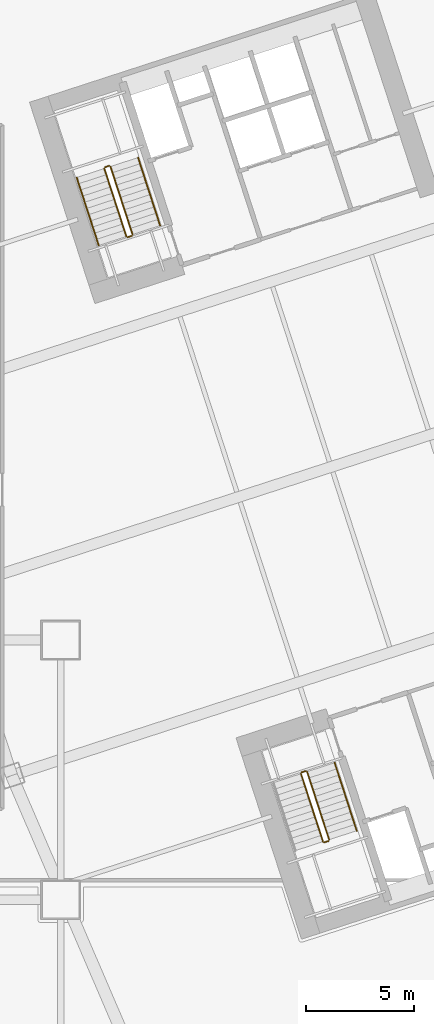
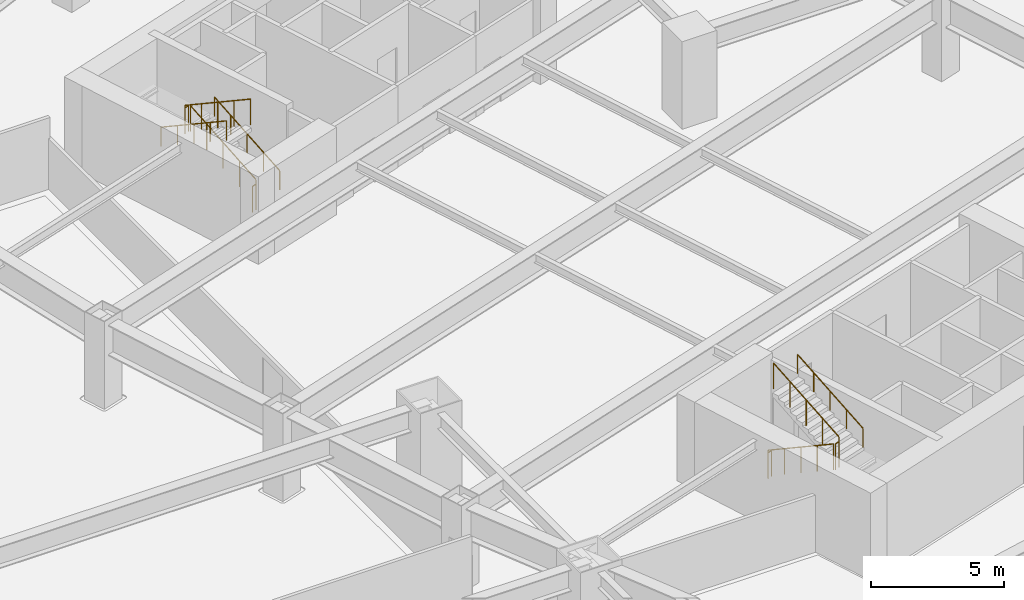
# One storey, part 24 of 25: 11 railings.
"""IFC4 building model written with IfcOpenShell, lengths in metres."""

from ifc_helpers import new_model, si_unit, direction, frame, origin, origin_2d, place, context, subcontext, project, spatial, circle, extrude, material, type_object, element, save


model = new_model("IFC4")

# Units and contexts
model_context = context("Model", 3, precision=1e-05, world=origin(), true_north=direction((0.0, 1.0)))
body_context = subcontext(model_context, "Body", "Model", "MODEL_VIEW")
ifc_project = project(units=[si_unit("LENGTHUNIT", "METRE"), si_unit("AREAUNIT", "SQUARE_METRE"), si_unit("VOLUMEUNIT", "CUBIC_METRE"), si_unit("PLANEANGLEUNIT", "RADIAN"), si_unit("MASSUNIT", "GRAM", prefix="KILO")], contexts=[model_context])

# Site, building, storey
site_placement = place(None, origin())
site = spatial("IfcSite", under=ifc_project, at=site_placement, CompositionType="ELEMENT")
building_placement = place(site_placement, origin())
building = spatial("IfcBuilding", under=site, at=building_placement, Name="Qiaolan Cultural Towers", CompositionType="ELEMENT")
storey_placement = place(building_placement, frame((0.0, 0.0, 22.0)))
storey = spatial("IfcBuildingStorey", under=building, at=storey_placement, Name="L04", CompositionType="ELEMENT", Elevation=22.0)

# Railings
ifc_material_1 = material(Name="Galvanized Painted Steel Stair Guardrail", Category="steel")
railing_type_1 = type_object("IfcRailingType", Name="RL-STAIR-GRD", PredefinedType="GUARDRAIL", material=ifc_material_1)
railing_1_placement = place(storey_placement, frame((88.60205078125, 19.82421875, 0.166748046875)))
element("IfcRailing", 1, at=railing_1_placement, inside=storey, type_object=railing_type_1, Name="L04 ST-E1 stair guard 1", PredefinedType="GUARDRAIL", context=body_context, shape_type="SweptSolid", body=[
    extrude(circle(Radius=0.02392578125, at=origin_2d()), frame((0.0, 0.0, 1.17578125), z_axis=(0.270140520196, -0.831375721119, 0.485632072336), x_axis=(0.951053095941, 0.309027520945, 0.0)), (0.0, 0.0, 1.0), 3.77490234375),
    extrude(circle(Radius=0.02099609375, at=origin_2d()), origin(), (0.0, 0.0, 1.0), 1.15185546875),
    extrude(circle(Radius=0.02099609375, at=origin_2d()), frame((0.2548828125, -0.78466796875, 0.458251953125)), (0.0, 0.0, 1.0), 1.15185546875),
    extrude(circle(Radius=0.02099609375, at=origin_2d()), frame((0.509765625, -1.5693359375, 0.91650390625)), (0.0, 0.0, 1.0), 1.15185546875),
    extrude(circle(Radius=0.02099609375, at=origin_2d()), frame((0.764892578125, -2.353759765625, 1.375)), (0.0, 0.0, 1.0), 1.15185546875),
    extrude(circle(Radius=0.02099609375, at=origin_2d()), frame((1.019775390625, -3.138427734375, 1.833251953125)), (0.0, 0.0, 1.0), 1.15185546875),
])
railing_2_placement = place(storey_placement, frame((89.684814453125, 16.653564453125, 2.0)))
element("IfcRailing", 2, at=railing_2_placement, inside=storey, type_object=railing_type_1, Name="L04 ST-E1 stair guard 2", PredefinedType="GUARDRAIL", context=body_context, shape_type="SweptSolid", body=[
    extrude(circle(Radius=0.02392578125, at=origin_2d()), frame((0.0, 0.0, 1.17578125), z_axis=(0.951096855055, 0.308892816854, 0.0), x_axis=(-0.308892816854, 0.951096855055, 0.0)), (0.0, 0.0, 1.0), 0.199951171875),
    extrude(circle(Radius=0.02099609375, at=origin_2d()), origin(), (0.0, 0.0, 1.0), 1.15185546875),
    extrude(circle(Radius=0.02099609375, at=origin_2d()), frame((0.190185546875, 0.061767578125, 0.0)), (0.0, 0.0, 1.0), 1.15185546875),
])
railing_3_placement = place(storey_placement, frame((89.9072265625, 16.778564453125, 2.166748046875)))
element("IfcRailing", 3, at=railing_3_placement, inside=storey, type_object=railing_type_1, Name="L04 ST-E1 stair guard 3", PredefinedType="GUARDRAIL", context=body_context, shape_type="SweptSolid", body=[
    extrude(circle(Radius=0.02392578125, at=origin_2d()), frame((0.0, 0.0, 1.17578125), z_axis=(-0.270140520196, 0.831375721119, 0.485632072336), x_axis=(-0.951053095941, -0.309027520945, 0.0)), (0.0, 0.0, 1.0), 3.77490234375),
    extrude(circle(Radius=0.02099609375, at=origin_2d()), origin(), (0.0, 0.0, 1.0), 1.15185546875),
    extrude(circle(Radius=0.02099609375, at=origin_2d()), frame((-0.2548828125, 0.78466796875, 0.458251953125)), (0.0, 0.0, 1.0), 1.15185546875),
    extrude(circle(Radius=0.02099609375, at=origin_2d()), frame((-0.509765625, 1.5693359375, 0.91650390625)), (0.0, 0.0, 1.0), 1.15185546875),
    extrude(circle(Radius=0.02099609375, at=origin_2d()), frame((-0.764892578125, 2.353759765625, 1.375)), (0.0, 0.0, 1.0), 1.15185546875),
    extrude(circle(Radius=0.02099609375, at=origin_2d()), frame((-1.019775390625, 3.138427734375, 1.833251953125)), (0.0, 0.0, 1.0), 1.15185546875),
])
railing_4_placement = place(storey_placement, frame((88.63427734375, 19.88720703125, 0.0)))
element("IfcRailing", 4, at=railing_4_placement, inside=storey, type_object=railing_type_1, Name="L04 ST-E1 stair guard 4", PredefinedType="GUARDRAIL", context=body_context, shape_type="SweptSolid", body=[
    extrude(circle(Radius=0.02392578125, at=origin_2d()), frame((0.0, 0.0, 1.17578125), z_axis=(0.951096855055, 0.308892816854, 0.0), x_axis=(-0.308892816854, 0.951096855055, 0.0)), (0.0, 0.0, 1.0), 0.199951171875),
    extrude(circle(Radius=0.02099609375, at=origin_2d()), origin(), (0.0, 0.0, 1.0), 1.15185546875),
    extrude(circle(Radius=0.02099609375, at=origin_2d()), frame((0.190185546875, 0.061767578125, 0.0)), (0.0, 0.0, 1.0), 1.15185546875),
])
railing_5_placement = place(storey_placement, frame((80.822021484375, 44.739501953125, 0.166748046875)))
element("IfcRailing", 5, at=railing_5_placement, inside=storey, type_object=railing_type_1, Name="L04 ST-E2 stair guard 1", PredefinedType="GUARDRAIL", context=body_context, shape_type="SweptSolid", body=[
    extrude(circle(Radius=0.02392578125, at=origin_2d()), frame((0.0, 0.0, 1.17578125), z_axis=(-0.270140520196, 0.831375721119, 0.485632072336), x_axis=(-0.951053095941, -0.309027520945, 0.0)), (0.0, 0.0, 1.0), 3.77490234375),
    extrude(circle(Radius=0.02099609375, at=origin_2d()), origin(), (0.0, 0.0, 1.0), 1.15185546875),
    extrude(circle(Radius=0.02099609375, at=origin_2d()), frame((-0.2548828125, 0.78466796875, 0.458251953125)), (0.0, 0.0, 1.0), 1.15185546875),
    extrude(circle(Radius=0.02099609375, at=origin_2d()), frame((-0.509765625, 1.5693359375, 0.91650390625)), (0.0, 0.0, 1.0), 1.15185546875),
    extrude(circle(Radius=0.02099609375, at=origin_2d()), frame((-0.764892578125, 2.353759765625, 1.375)), (0.0, 0.0, 1.0), 1.15185546875),
    extrude(circle(Radius=0.02099609375, at=origin_2d()), frame((-1.019775390625, 3.138427734375, 1.833251953125)), (0.0, 0.0, 1.0), 1.15185546875),
])
railing_6_placement = place(storey_placement, frame((79.7392578125, 47.91015625, 2.0)))
element("IfcRailing", 6, at=railing_6_placement, inside=storey, type_object=railing_type_1, Name="L04 ST-E2 stair guard 2", PredefinedType="GUARDRAIL", context=body_context, shape_type="SweptSolid", body=[
    extrude(circle(Radius=0.02392578125, at=origin_2d()), frame((0.0, 0.0, 1.17578125), z_axis=(-0.951096855055, -0.308892816854, 0.0), x_axis=(0.308892816854, -0.951096855055, 0.0)), (0.0, 0.0, 1.0), 0.199951171875),
    extrude(circle(Radius=0.02099609375, at=origin_2d()), origin(), (0.0, 0.0, 1.0), 1.15185546875),
    extrude(circle(Radius=0.02099609375, at=origin_2d()), frame((-0.190185546875, -0.061767578125, 0.0)), (0.0, 0.0, 1.0), 1.15185546875),
])
railing_7_placement = place(storey_placement, frame((79.51708984375, 47.785400390625, 2.166748046875)))
element("IfcRailing", 7, at=railing_7_placement, inside=storey, type_object=railing_type_1, Name="L04 ST-E2 stair guard 3", PredefinedType="GUARDRAIL", context=body_context, shape_type="SweptSolid", body=[
    extrude(circle(Radius=0.02392578125, at=origin_2d()), frame((0.0, 0.0, 1.17578125), z_axis=(0.27012599593, -0.831395691566, 0.485605962039), x_axis=(0.951060160437, 0.309005778636, 0.0)), (0.0, 0.0, 1.0), 3.775146484375),
    extrude(circle(Radius=0.02099609375, at=origin_2d()), origin(), (0.0, 0.0, 1.0), 1.15185546875),
    extrude(circle(Radius=0.02099609375, at=origin_2d()), frame((0.2548828125, -0.78466796875, 0.458251953125)), (0.0, 0.0, 1.0), 1.15185546875),
    extrude(circle(Radius=0.02099609375, at=origin_2d()), frame((0.509765625, -1.5693359375, 0.91650390625)), (0.0, 0.0, 1.0), 1.15185546875),
    extrude(circle(Radius=0.02099609375, at=origin_2d()), frame((0.764892578125, -2.35400390625, 1.375)), (0.0, 0.0, 1.0), 1.15185546875),
    extrude(circle(Radius=0.02099609375, at=origin_2d()), frame((1.019775390625, -3.138671875, 1.833251953125)), (0.0, 0.0, 1.0), 1.15185546875),
])
railing_8_placement = place(storey_placement, frame((80.7900390625, 44.676513671875, 0.0)))
element("IfcRailing", 8, at=railing_8_placement, inside=storey, type_object=railing_type_1, Name="L04 ST-E2 stair guard 4", PredefinedType="GUARDRAIL", context=body_context, shape_type="SweptSolid", body=[
    extrude(circle(Radius=0.02392578125, at=origin_2d()), frame((0.0, 0.0, 1.17578125), z_axis=(-0.951096855055, -0.308892816854, 0.0), x_axis=(0.308892816854, -0.951096855055, 0.0)), (0.0, 0.0, 1.0), 0.199951171875),
    extrude(circle(Radius=0.02099609375, at=origin_2d()), origin(), (0.0, 0.0, 1.0), 1.15185546875),
    extrude(circle(Radius=0.02099609375, at=origin_2d()), frame((-0.190185546875, -0.061767578125, 0.0)), (0.0, 0.0, 1.0), 1.15185546875),
])
ifc_material_2 = material(Name="Stainless Steel S30408 Tubular Handrail", Category="steel")
railing_type_2 = type_object("IfcRailingType", Name="RL-STAIR-HR", PredefinedType="HANDRAIL", material=ifc_material_2)
for number, where, name in (
    (9, (91.181640625, 17.192626953125, 2.166748046875), "L04 ST-E1 stair handrail 2"),
    (10, (82.096435546875, 45.153564453125, 0.166748046875), "L04 ST-E2 stair handrail 1"),
):
    element("IfcRailing", number, at=place(storey_placement, frame(where)), inside=storey, type_object=railing_type_2, Name=name, PredefinedType="HANDRAIL", context=body_context, shape_type="SweptSolid", body=[
        extrude(circle(Radius=0.02392578125, at=origin_2d()), frame((0.0, 0.0, 0.8759765625), z_axis=(-0.270140520196, 0.831375721119, 0.485632072336), x_axis=(-0.951053095941, -0.309027520945, 0.0)), (0.0, 0.0, 1.0), 3.77490234375),
        extrude(circle(Radius=0.02099609375, at=origin_2d()), origin(), (0.0, 0.0, 1.0), 0.851806640625),
        extrude(circle(Radius=0.02099609375, at=origin_2d()), frame((-0.2548828125, 0.78466796875, 0.458251953125)), (0.0, 0.0, 1.0), 0.851806640625),
        extrude(circle(Radius=0.02099609375, at=origin_2d()), frame((-0.509765625, 1.5693359375, 0.91650390625)), (0.0, 0.0, 1.0), 0.851806640625),
        extrude(circle(Radius=0.02099609375, at=origin_2d()), frame((-0.764892578125, 2.353759765625, 1.375)), (0.0, 0.0, 1.0), 0.851806640625),
        extrude(circle(Radius=0.02099609375, at=origin_2d()), frame((-1.019775390625, 3.138427734375, 1.833251953125)), (0.0, 0.0, 1.0), 0.851806640625),
    ])
railing_9_placement = place(storey_placement, frame((78.24267578125, 47.37109375, 2.166748046875)))
element("IfcRailing", 11, at=railing_9_placement, inside=storey, type_object=railing_type_2, Name="L04 ST-E2 stair handrail 2", PredefinedType="HANDRAIL", context=body_context, shape_type="SweptSolid", body=[
    extrude(circle(Radius=0.02392578125, at=origin_2d()), frame((0.0, 0.0, 0.8759765625), z_axis=(0.270140520196, -0.831375721119, 0.485632072336), x_axis=(0.951053095941, 0.309027520945, 0.0)), (0.0, 0.0, 1.0), 3.77490234375),
    extrude(circle(Radius=0.02099609375, at=origin_2d()), origin(), (0.0, 0.0, 1.0), 0.851806640625),
    extrude(circle(Radius=0.02099609375, at=origin_2d()), frame((0.2548828125, -0.78466796875, 0.458251953125)), (0.0, 0.0, 1.0), 0.851806640625),
    extrude(circle(Radius=0.02099609375, at=origin_2d()), frame((0.509765625, -1.5693359375, 0.91650390625)), (0.0, 0.0, 1.0), 0.851806640625),
    extrude(circle(Radius=0.02099609375, at=origin_2d()), frame((0.764892578125, -2.353759765625, 1.375)), (0.0, 0.0, 1.0), 0.851806640625),
    extrude(circle(Radius=0.02099609375, at=origin_2d()), frame((1.019775390625, -3.138427734375, 1.833251953125)), (0.0, 0.0, 1.0), 0.851806640625),
])

save(model, "model.ifc")
